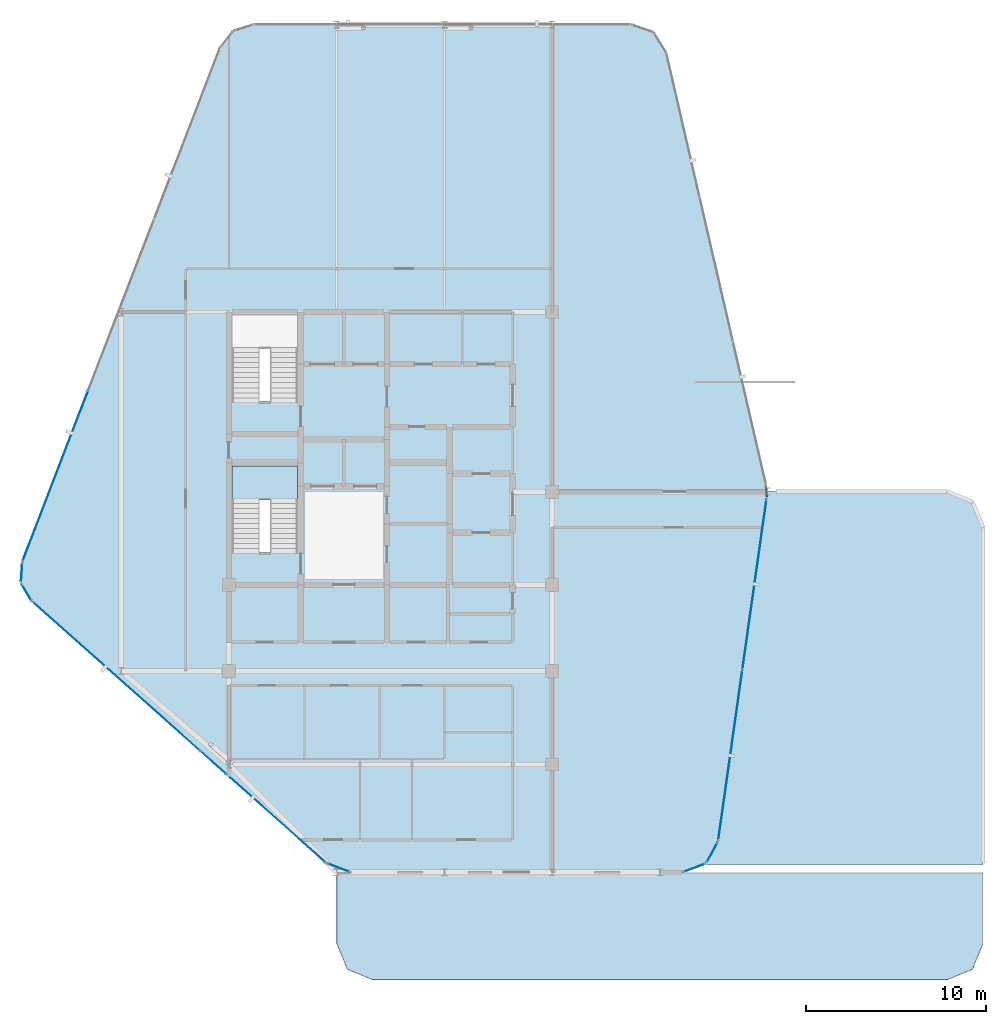
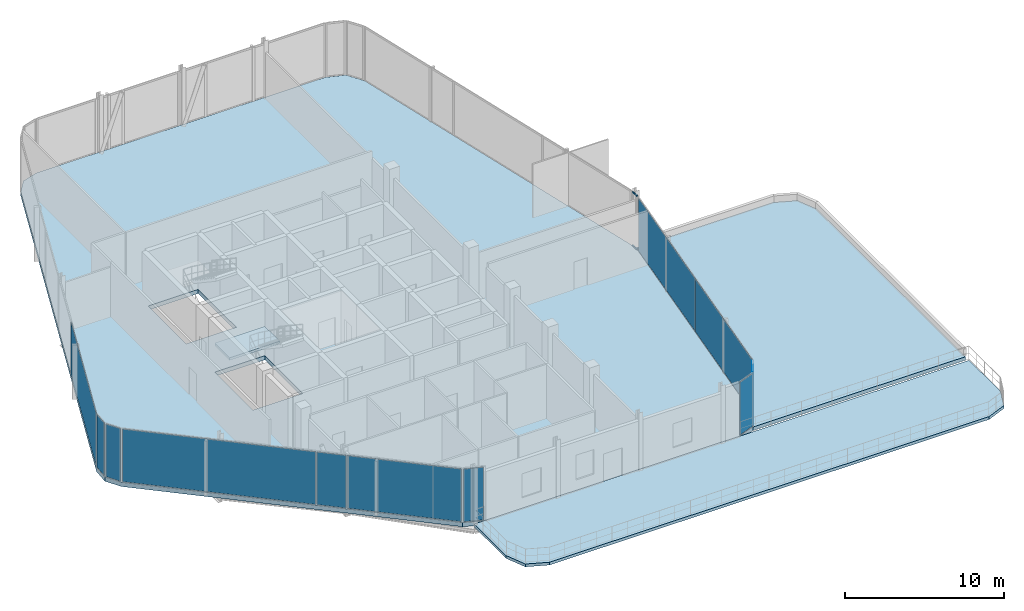
# One storey, part 18 of 24: 11 plates, 4 slabs, 2 members, 12 elements without a shape of their own.
"""IFC4 building model written with IfcOpenShell, lengths in metres."""

from ifc_helpers import new_model, si_unit, direction, frame, origin, origin_2d, place, context, subcontext, project, spatial, polyline, rectangle, hollow_rectangle, outline, extrude, material, layer, layer_set, material_profile, profile_set, type_object, element, aggregate, save


model = new_model("IFC4")

# Units and contexts
model_context = context("Model", 3, precision=1e-05, world=origin(), true_north=direction((0.0, 1.0)))
body_context = subcontext(model_context, "Body", "Model", "MODEL_VIEW")
ifc_project = project(units=[si_unit("LENGTHUNIT", "METRE"), si_unit("AREAUNIT", "SQUARE_METRE"), si_unit("VOLUMEUNIT", "CUBIC_METRE"), si_unit("PLANEANGLEUNIT", "RADIAN"), si_unit("MASSUNIT", "GRAM", prefix="KILO")], contexts=[model_context])

# Site, building, storey
site_placement = place(None, origin())
site = spatial("IfcSite", under=ifc_project, at=site_placement, CompositionType="ELEMENT")
building_placement = place(site_placement, origin())
building = spatial("IfcBuilding", under=site, at=building_placement, Name="Keshet Zoharim Tower", CompositionType="ELEMENT")
storey_placement = place(building_placement, frame((0.0, 0.0, 242.800048828125)))
storey = spatial("IfcBuildingStorey", under=building, at=storey_placement, Name="L60", CompositionType="ELEMENT", Elevation=242.800048828125)

# Curtain wall, members
ifc_material_1 = material(Name="Aluminium 6063-T6", Category="aluminium")
ifc_layer_1 = layer(ifc_material_1, 0.260009765625)
ifc_layer_set_1 = layer_set([ifc_layer_1], Name="Aluminium 6063-T6")
curtain_wall_type = type_object("IfcCurtainWallType", Name="CW-SYS-06", PredefinedType="NOTDEFINED", material=ifc_layer_set_1)
curtain_wall_1_placement = place(storey_placement, origin())
curtain_wall_1 = element("IfcCurtainWall", 1, at=curtain_wall_1_placement, inside=storey, type_object=curtain_wall_type, Name="L60 Unitised Curtain Wall 10", PredefinedType="NOTDEFINED")
ifc_material_profile = material_profile(ifc_material_1, hollow_rectangle(XDim=0.074951171875, YDim=0.1201171875, WallThickness=0.00390625, at=origin_2d()), Name="TRN-75x120")
ifc_profile_set = profile_set([ifc_material_profile], Name="Aluminium 6063-T6")
member_type = type_object("IfcMemberType", Name="CWT-T12", PredefinedType="USERDEFINED", material=ifc_profile_set)
member_1_placement = place(storey_placement, frame((44.9189453125, 28.192138671875, 0.034912109375), z_axis=(0.043813905352, -0.99903970977, 0.0), x_axis=(0.99903970977, 0.043813905352, 0.0)))
member_1 = element("IfcMember", 2, at=member_1_placement, type_object=member_type, Name="CW-06 transom 1.1", ObjectType="TRANSOM", PredefinedType="USERDEFINED", context=body_context, shape_type="SweptSolid", body=[
    extrude(hollow_rectangle(XDim=0.074951171875, YDim=0.1201171875, WallThickness=0.00390625, at=origin_2d()), origin(), (0.0, 0.0, 1.0), 0.590576171875),
])
member_2_placement = place(storey_placement, frame((44.9189453125, 28.192138671875, 4.155029296875), z_axis=(0.043813905352, -0.99903970977, 0.0), x_axis=(0.99903970977, 0.043813905352, 0.0)))
member_2 = element("IfcMember", 3, at=member_2_placement, type_object=member_type, Name="CW-06 transom 1.2", ObjectType="TRANSOM", PredefinedType="USERDEFINED", context=body_context, shape_type="SweptSolid", body=[
    extrude(hollow_rectangle(XDim=0.074951171875, YDim=0.1201171875, WallThickness=0.00390625, at=origin_2d()), origin(), (0.0, 0.0, 1.0), 0.590576171875),
])
aggregate(curtain_wall_1, [member_1, member_2])

# Curtain wall, plate
curtain_wall_2_placement = place(storey_placement, origin())
curtain_wall_2 = element("IfcCurtainWall", 4, at=curtain_wall_2_placement, inside=storey, type_object=curtain_wall_type, Name="L60 Unitised Curtain Wall 01", PredefinedType="NOTDEFINED")
ifc_material_2 = material(Name="Insulated Low-E Clear Glass", Category="glass")
ifc_layer_2 = layer(ifc_material_2, 0.028076171875)
ifc_layer_set_2 = layer_set([ifc_layer_2], Name="Insulated Low-E Clear Glass")
plate_type_1 = type_object("IfcPlateType", Name="CWP-03", PredefinedType="CURTAIN_PANEL", material=ifc_layer_set_2)
plate_1_placement = place(storey_placement, frame((3.7275390625, 22.291015625, 0.06982421875), z_axis=(0.0, 0.0, 1.0), x_axis=(-0.515604947933, 0.856826433805, 0.0)))
plate_1 = element("IfcPlate", 5, at=plate_1_placement, type_object=plate_type_1, Name="CW-06 panel 1.1", PredefinedType="CURTAIN_PANEL", context=body_context, shape_type="SweptSolid", body=[
    extrude(rectangle(XDim=1.052734375, YDim=0.028076171875, at=origin_2d()), origin(), (0.0, 0.0, 1.0), 4.050048828125),
])
aggregate(curtain_wall_2, [plate_1])

curtain_wall_3_placement = place(storey_placement, origin())
curtain_wall_3 = element("IfcCurtainWall", 6, at=curtain_wall_3_placement, inside=storey, type_object=curtain_wall_type, Name="L60 Unitised Curtain Wall 02", PredefinedType="NOTDEFINED")
plate_2_placement = place(storey_placement, frame((3.45849609375, 23.3974609375, 0.06982421875), z_axis=(0.0, 0.0, 1.0), x_axis=(0.064516859374, 0.997916617186, 0.0)))
plate_2 = element("IfcPlate", 7, at=plate_2_placement, type_object=plate_type_1, Name="CW-06 panel 1.1", PredefinedType="CURTAIN_PANEL", context=body_context, shape_type="SweptSolid", body=[
    extrude(rectangle(XDim=1.053466796875, YDim=0.028076171875, at=origin_2d()), origin(), (0.0, 0.0, 1.0), 4.050048828125),
])
aggregate(curtain_wall_3, [plate_2])

curtain_wall_4_placement = place(storey_placement, origin())
curtain_wall_4 = element("IfcCurtainWall", 8, at=curtain_wall_4_placement, inside=storey, type_object=curtain_wall_type, Name="L60 Unitised Curtain Wall 03", PredefinedType="NOTDEFINED")
plate_3_placement = place(storey_placement, frame((5.33837890625, 28.7802734375, 0.06982421875), z_axis=(0.0, 0.0, 1.0), x_axis=(0.358990003907, 0.933341404361, 0.0)))
plate_3 = element("IfcPlate", 9, at=plate_3_placement, type_object=plate_type_1, Name="CW-06 panel 1.1", PredefinedType="CURTAIN_PANEL", context=body_context, shape_type="SweptSolid", body=[
    extrude(rectangle(XDim=10.1181640625, YDim=0.028076171875, at=origin_2d()), origin(), (0.0, 0.0, 1.0), 4.050048828125),
])
aggregate(curtain_wall_4, [plate_3])

# Curtain wall, plates
curtain_wall_5_placement = place(storey_placement, origin())
curtain_wall_5 = element("IfcCurtainWall", 10, at=curtain_wall_5_placement, inside=storey, type_object=curtain_wall_type, Name="L60 Unitised Curtain Wall 11", PredefinedType="NOTDEFINED")
plate_4_placement = place(storey_placement, frame((44.269287109375, 22.736572265625, 0.06982421875), z_axis=(0.0, 0.0, 1.0), x_axis=(-0.140137464177, -0.990132057422, 0.0)))
plate_4 = element("IfcPlate", 11, at=plate_4_placement, type_object=plate_type_1, Name="CW-06 panel 1.1", PredefinedType="CURTAIN_PANEL", context=body_context, shape_type="SweptSolid", body=[
    extrude(rectangle(XDim=9.546142578125, YDim=0.028076171875, at=origin_2d()), origin(), (0.0, 0.0, 1.0), 4.050048828125),
])
plate_5_placement = place(storey_placement, frame((42.921630859375, 13.21533203125, 0.06982421875), z_axis=(0.0, 0.0, 1.0), x_axis=(-0.140137464177, -0.990132057422, 0.0)))
plate_5 = element("IfcPlate", 12, at=plate_5_placement, type_object=plate_type_1, Name="CW-06 panel 2.1", PredefinedType="CURTAIN_PANEL", context=body_context, shape_type="SweptSolid", body=[
    extrude(rectangle(XDim=9.546142578125, YDim=0.028076171875, at=origin_2d()), origin(), (0.0, 0.0, 1.0), 4.050048828125),
])
aggregate(curtain_wall_5, [plate_4, plate_5])

# Curtain wall, plate
curtain_wall_6_placement = place(storey_placement, origin())
curtain_wall_6 = element("IfcCurtainWall", 13, at=curtain_wall_6_placement, inside=storey, type_object=curtain_wall_type, Name="L60 Unitised Curtain Wall 12", PredefinedType="NOTDEFINED")
plate_6_placement = place(storey_placement, frame((41.908447265625, 7.804931640625, 0.06982421875), z_axis=(0.0, 0.0, 1.0), x_axis=(-0.477800955789, -0.878468125004, 0.0)))
plate_6 = element("IfcPlate", 14, at=plate_6_placement, type_object=plate_type_1, Name="CW-06 panel 1.1", PredefinedType="CURTAIN_PANEL", context=body_context, shape_type="SweptSolid", body=[
    extrude(rectangle(XDim=1.26025390625, YDim=0.028076171875, at=origin_2d()), origin(), (0.0, 0.0, 1.0), 4.050048828125),
])
aggregate(curtain_wall_6, [plate_6])

curtain_wall_7_placement = place(storey_placement, origin())
curtain_wall_7 = element("IfcCurtainWall", 15, at=curtain_wall_7_placement, inside=storey, type_object=curtain_wall_type, Name="L60 Unitised Curtain Wall 13", PredefinedType="NOTDEFINED")
plate_7_placement = place(storey_placement, frame((40.91845703125, 6.945068359375, 0.06982421875), z_axis=(0.0, 0.0, 1.0), x_axis=(-0.936710343781, -0.350105315376, 0.0)))
plate_7 = element("IfcPlate", 16, at=plate_7_placement, type_object=plate_type_1, Name="CW-06 panel 1.1", PredefinedType="CURTAIN_PANEL", context=body_context, shape_type="SweptSolid", body=[
    extrude(rectangle(XDim=1.259521484375, YDim=0.028076171875, at=origin_2d()), origin(), (0.0, 0.0, 1.0), 4.050048828125),
])
aggregate(curtain_wall_7, [plate_7])

curtain_wall_8_placement = place(storey_placement, origin())
curtain_wall_8 = element("IfcCurtainWall", 17, at=curtain_wall_8_placement, inside=storey, type_object=curtain_wall_type, Name="L60 Unitised Curtain Wall 14", PredefinedType="NOTDEFINED")
plate_8_placement = place(storey_placement, frame((21.095947265625, 6.952392578125, 0.06982421875), z_axis=(0.0, 0.0, 1.0), x_axis=(-0.934699418314, 0.355439161326, 0.0)))
plate_8 = element("IfcPlate", 18, at=plate_8_placement, type_object=plate_type_1, Name="CW-06 panel 1.1", PredefinedType="CURTAIN_PANEL", context=body_context, shape_type="SweptSolid", body=[
    extrude(rectangle(XDim=1.28076171875, YDim=0.028076171875, at=origin_2d()), origin(), (0.0, 0.0, 1.0), 4.050048828125),
])
aggregate(curtain_wall_8, [plate_8])

curtain_wall_9_placement = place(storey_placement, origin())
curtain_wall_9 = element("IfcCurtainWall", 19, at=curtain_wall_9_placement, inside=storey, type_object=curtain_wall_type, Name="L60 Unitised Curtain Wall 15", PredefinedType="NOTDEFINED")
plate_9_placement = place(storey_placement, frame((17.6357421875, 9.6904296875, 0.06982421875), z_axis=(0.0, 0.0, 1.0), x_axis=(-0.747411530821, 0.664361350167, 0.0)))
plate_9 = element("IfcPlate", 20, at=plate_9_placement, type_object=plate_type_1, Name="CW-06 panel 1.1", PredefinedType="CURTAIN_PANEL", context=body_context, shape_type="SweptSolid", body=[
    extrude(rectangle(XDim=7.34228515625, YDim=0.028076171875, at=origin_2d()), origin(), (0.0, 0.0, 1.0), 4.050048828125),
])
aggregate(curtain_wall_9, [plate_9])

curtain_wall_10_placement = place(storey_placement, origin())
curtain_wall_10 = element("IfcCurtainWall", 21, at=curtain_wall_10_placement, inside=storey, type_object=curtain_wall_type, Name="L60 Unitised Curtain Wall 15 Part 3", PredefinedType="NOTDEFINED")
plate_10_placement = place(storey_placement, frame((8.732177734375, 17.604736328125, 0.06982421875), z_axis=(0.0, 0.0, 1.0), x_axis=(-0.747413291367, 0.664359369535, 0.0)))
plate_10 = element("IfcPlate", 22, at=plate_10_placement, type_object=plate_type_1, Name="CW-06 panel 1.1", PredefinedType="CURTAIN_PANEL", context=body_context, shape_type="SweptSolid", body=[
    extrude(rectangle(XDim=12.42919921875, YDim=0.028076171875, at=origin_2d()), origin(), (0.0, 0.0, 1.0), 4.050048828125),
])
aggregate(curtain_wall_10, [plate_10])

curtain_wall_11_placement = place(storey_placement, origin())
curtain_wall_11 = element("IfcCurtainWall", 23, at=curtain_wall_11_placement, inside=storey, type_object=curtain_wall_type, Name="L60 Unitised Curtain Wall 15 Part 2", PredefinedType="NOTDEFINED")
ifc_material_3 = material(Name="Insulated Aluminium Spandrel Panel", Category="aluminium")
ifc_layer_3 = layer(ifc_material_3, 0.028076171875)
ifc_layer_set_3 = layer_set([ifc_layer_3], Name="Insulated Aluminium Spandrel Panel")
plate_type_2 = type_object("IfcPlateType", Name="CWP-06", PredefinedType="CURTAIN_PANEL", material=ifc_layer_set_3)
plate_11_placement = place(storey_placement, frame((14.134521484375, 12.802734375, 0.06982421875), z_axis=(0.0, 0.0, 1.0), x_axis=(-0.747403680303, 0.664370181953, 0.0)))
plate_11 = element("IfcPlate", 24, at=plate_11_placement, type_object=plate_type_2, Name="CW-06 spandrel panel 1.1", PredefinedType="CURTAIN_PANEL", context=body_context, shape_type="SweptSolid", body=[
    extrude(rectangle(XDim=1.886962890625, YDim=0.028076171875, at=origin_2d()), origin(), (0.0, 0.0, 1.0), 4.050048828125),
])
aggregate(curtain_wall_11, [plate_11])

# Slab
ifc_material_4 = material(Name="Concrete C50/60", Category="concrete")
ifc_layer_4 = layer(ifc_material_4, 0.320068359375)
ifc_layer_set_4 = layer_set([ifc_layer_4], Name="Concrete C50/60")
slab_type_1 = type_object("IfcSlabType", Name="SLB-COM-320", PredefinedType="FLOOR", material=ifc_layer_set_4)
slab_1_placement = place(storey_placement, frame((0.0, 0.0, -0.320068359375)))
element("IfcSlab", 25, at=slab_1_placement, inside=storey, type_object=slab_type_1, Name="L60 Structural Floor Slab 1", PredefinedType="FLOOR", context=body_context, shape_type="SweptSolid", body=[
    extrude(outline(polyline([(4.034912109375, 21.780029296875), (3.419921875, 22.802001953125), (3.4970703125, 23.992919921875), (14.507080078125, 52.617919921875), (15.240966796875, 53.549072265625), (16.3740234375, 53.89990234375), (37.408935546875, 53.89990234375), (38.654052734375, 53.465087890625), (39.35791015625, 52.35009765625), (44.916015625, 28.261962890625), (44.947998046875, 27.531982421875), (42.242919921875, 8.419921875), (41.573974609375, 7.18994140625), (40.262939453125, 6.699951171875), (21.760009765625, 6.699951171875), (20.431884765625, 7.205078125), (4.034912109375, 21.780029296875)]), holes=[polyline([(15.179931640625, 24.52001953125), (18.820068359375, 24.52001953125), (18.820068359375, 29.320068359375), (15.179931640625, 29.320068359375), (15.179931640625, 24.52001953125)]), polyline([(15.179931640625, 32.919921875), (18.820068359375, 32.919921875), (18.820068359375, 37.719970703125), (15.179931640625, 37.719970703125), (15.179931640625, 32.919921875)])]), origin(), (0.0, 0.0, 1.0), 0.320068359375),
])

# Stair, slab
stair_type = type_object("IfcStairType", Name="STR-EXIT-135", PredefinedType="HALF_TURN_STAIR", material=ifc_material_4)
stair_placement = place(storey_placement, origin())
stair = element("IfcStair", 26, at=stair_placement, inside=storey, type_object=stair_type, Name="L60 Enclosed Exit Stair ST-01", PredefinedType="HALF_TURN_STAIR")
ifc_layer_5 = layer(ifc_material_4, 0.199951171875)
ifc_layer_set_5 = layer_set([ifc_layer_5], Name="Concrete C50/60")
slab_type_2 = type_object("IfcSlabType", Name="SLB-LND-200", PredefinedType="LANDING", material=ifc_layer_set_5)
slab_2_placement = place(storey_placement, frame((0.0, 0.0, 2.050048828125)))
slab_2 = element("IfcSlab", 27, at=slab_2_placement, type_object=slab_type_2, Name="ST-01 landing 1", PredefinedType="LANDING", context=body_context, shape_type="SweptSolid", body=[
    extrude(outline(polyline([(15.179931640625, 27.43994140625), (18.820068359375, 27.43994140625), (18.820068359375, 29.320068359375), (15.179931640625, 29.320068359375), (15.179931640625, 27.43994140625)])), origin(), (0.0, 0.0, 1.0), 0.199951171875),
])
aggregate(stair, [slab_2])

# Slabs
ifc_layer_6 = layer(ifc_material_4, 0.280029296875)
ifc_layer_set_6 = layer_set([ifc_layer_6], Name="Concrete C50/60")
slab_type_3 = type_object("IfcSlabType", Name="SLB-SET-280", PredefinedType="ROOF", material=ifc_layer_set_6)
slab_3_placement = place(storey_placement, frame((0.0, 0.0, -0.280029296875)))
element("IfcSlab", 28, at=slab_3_placement, inside=storey, type_object=slab_type_3, Name="L60 Setback Weather Roof Slab 1", PredefinedType="ROOF", context=body_context, shape_type="SweptSolid", body=[
    extrude(outline(polyline([(56.4140625, 27.31396484375), (57.0, 25.89990234375), (57.0, 7.14501953125), (41.52490234375, 7.14501953125), (41.591064453125, 7.169921875), (42.26708984375, 8.412109375), (44.972900390625, 27.531005859375), (44.947021484375, 28.131103515625), (45.0, 27.89990234375), (55.0, 27.89990234375), (56.4140625, 27.31396484375)])), origin(), (0.0, 0.0, 1.0), 0.280029296875),
])
ifc_layer_7 = layer(ifc_material_4, 0.219970703125)
ifc_layer_set_7 = layer_set([ifc_layer_7], Name="Concrete C50/60")
slab_type_4 = type_object("IfcSlabType", Name="SLB-TER-220", PredefinedType="ROOF", material=ifc_layer_set_7)
slab_4_placement = place(storey_placement, frame((0.0, 0.0, -0.219970703125)))
element("IfcSlab", 29, at=slab_4_placement, inside=storey, type_object=slab_type_4, Name="L60 South Tube-B Setback Sky Garden Slab", PredefinedType="ROOF", context=body_context, shape_type="SweptSolid", body=[
    extrude(outline(polyline([(21.760009765625, 6.699951171875), (40.262939453125, 6.699951171875), (57.0, 6.699951171875), (57.0, 2.699951171875), (56.4140625, 1.285888671875), (55.0, 0.699951171875), (23.0, 0.699951171875), (21.5859375, 1.285888671875), (21.0, 2.699951171875), (21.0, 6.699951171875), (21.760009765625, 6.699951171875)])), origin(), (0.0, 0.0, 1.0), 0.219970703125),
])

save(model, "model.ifc")
